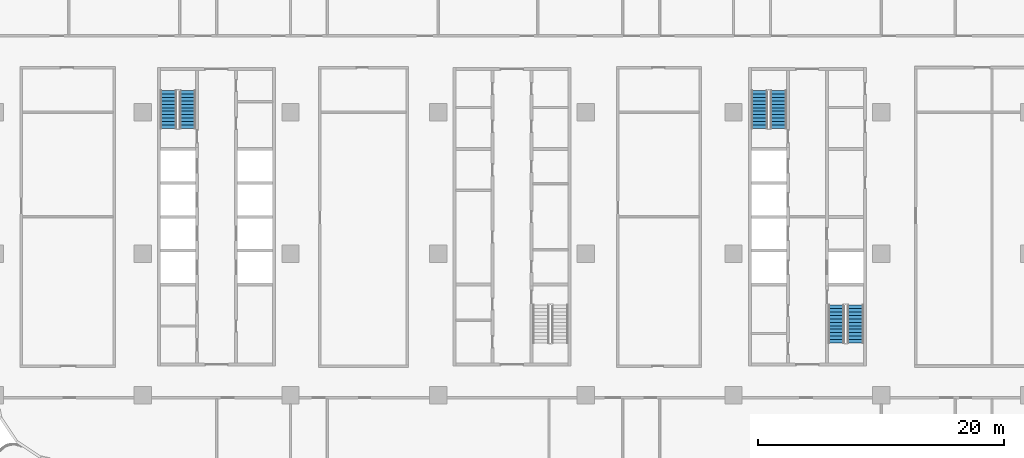
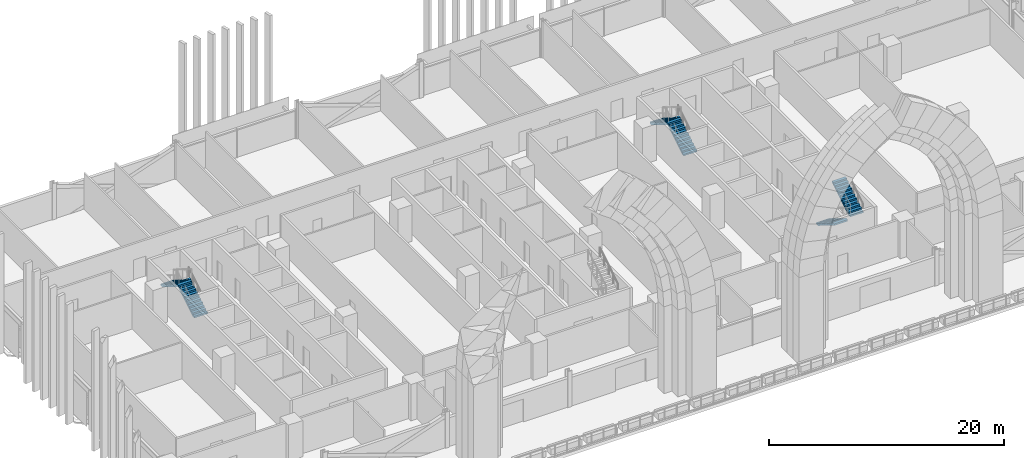
# One storey, part 16 of 31: 6 stair flights, 3 elements without a shape of their own.
"""IFC4 building model written with IfcOpenShell, lengths in metres."""

from ifc_helpers import new_model, si_unit, direction, frame, origin, place, context, subcontext, project, spatial, polyline, outline, extrude, material, type_object, element, aggregate, save


model = new_model("IFC4")

# Units and contexts
model_context = context("Model", 3, precision=1e-05, world=origin(), true_north=direction((0.0, 1.0)))
body_context = subcontext(model_context, "Body", "Model", "MODEL_VIEW")
ifc_project = project(units=[si_unit("LENGTHUNIT", "METRE"), si_unit("AREAUNIT", "SQUARE_METRE"), si_unit("VOLUMEUNIT", "CUBIC_METRE"), si_unit("PLANEANGLEUNIT", "RADIAN"), si_unit("MASSUNIT", "GRAM", prefix="KILO")], contexts=[model_context])

# Site, building, storey
site_placement = place(None, origin())
site = spatial("IfcSite", under=ifc_project, at=site_placement, CompositionType="ELEMENT")
building_placement = place(site_placement, origin())
building = spatial("IfcBuilding", under=site, at=building_placement, Name="Mahtab Terrace Research Tower", CompositionType="ELEMENT")
storey_placement = place(building_placement, frame((0.0, 0.0, 84.800048828125)))
storey = spatial("IfcBuildingStorey", under=building, at=storey_placement, Name="L19", CompositionType="ELEMENT", Elevation=84.800048828125)

# Stair, stair flights
ifc_material_1 = material(Name="Exit stair half-turn")
stair_type = type_object("IfcStairType", Name="Exit stair half-turn", PredefinedType="HALF_TURN_STAIR", material=ifc_material_1)
stair_1_placement = place(storey_placement, origin())
stair_1 = element("IfcStair", 1, at=stair_1_placement, inside=storey, type_object=stair_type, Name="L19 Protected exit stair ST1", PredefinedType="HALF_TURN_STAIR")
ifc_material_2 = material(Name="Concrete C40/50", Category="concrete")
stair_flight_type = type_object("IfcStairFlightType", Name="Exit stair flight 1300", PredefinedType="STRAIGHT", material=ifc_material_2)
stair_flight_1_placement = place(storey_placement, frame((-26.35009765625, 10.175048828125, 0.0), z_axis=(0.0, 0.0, 1.0), x_axis=(0.0, 1.0, 0.0)))
stair_flight_1 = element("IfcStairFlight", 2, at=stair_flight_1_placement, type_object=stair_flight_type, Name="ST1 flight 1", NumberOfRisers=12, NumberOfTreads=11, PredefinedType="STRAIGHT", RiserHeight=0.170833333, TreadLength=0.28, context=body_context, shape_type="SweptSolid", body=[
    extrude(outline(polyline([(0.0, 0.0), (0.0, 0.1708984375), (0.280029296875, 0.1708984375), (0.280029296875, 0.341552734375), (0.56005859375, 0.341552734375), (0.56005859375, 0.512451171875), (0.840087890625, 0.512451171875), (0.840087890625, 0.683349609375), (1.1201171875, 0.683349609375), (1.1201171875, 0.854248046875), (1.39990234375, 0.854248046875), (1.39990234375, 1.02490234375), (1.679931640625, 1.02490234375), (1.679931640625, 1.19580078125), (1.9599609375, 1.19580078125), (1.9599609375, 1.36669921875), (2.239990234375, 1.36669921875), (2.239990234375, 1.53759765625), (2.52001953125, 1.53759765625), (2.52001953125, 1.708251953125), (2.800048828125, 1.708251953125), (2.800048828125, 1.879150390625), (3.080078125, 1.879150390625), (3.080078125, 2.050048828125), (3.080078125, 1.70361328125), (0.287841796875, 0.0), (0.0, 0.0)])), frame((0.0, 0.64990234375, 0.0), z_axis=(0.0, -1.0, 0.0), x_axis=(1.0, 0.0, 0.0)), (0.0, 0.0, 1.0), 1.300048828125),
])
stair_flight_2_placement = place(storey_placement, frame((-27.89990234375, 13.2548828125, 2.050048828125), z_axis=(0.0, 0.0, 1.0), x_axis=(0.0, -1.0, 0.0)))
stair_flight_2 = element("IfcStairFlight", 3, at=stair_flight_2_placement, type_object=stair_flight_type, Name="ST1 flight 2", NumberOfRisers=12, NumberOfTreads=11, PredefinedType="STRAIGHT", RiserHeight=0.170833333, TreadLength=0.28, context=body_context, shape_type="SweptSolid", body=[
    extrude(outline(polyline([(0.0, 0.0), (0.0, 0.1708984375), (0.280029296875, 0.1708984375), (0.280029296875, 0.341552734375), (0.56005859375, 0.341552734375), (0.56005859375, 0.512451171875), (0.840087890625, 0.512451171875), (0.840087890625, 0.683349609375), (1.1201171875, 0.683349609375), (1.1201171875, 0.854248046875), (1.39990234375, 0.854248046875), (1.39990234375, 1.02490234375), (1.679931640625, 1.02490234375), (1.679931640625, 1.19580078125), (1.9599609375, 1.19580078125), (1.9599609375, 1.36669921875), (2.239990234375, 1.36669921875), (2.239990234375, 1.53759765625), (2.52001953125, 1.53759765625), (2.52001953125, 1.708251953125), (2.800048828125, 1.708251953125), (2.800048828125, 1.879150390625), (3.080078125, 1.879150390625), (3.080078125, 2.050048828125), (3.080078125, 1.70361328125), (0.287841796875, 0.0), (0.0, 0.0)])), frame((0.0, 0.64990234375, 0.0), z_axis=(0.0, -1.0, 0.0), x_axis=(1.0, 0.0, 0.0)), (0.0, 0.0, 1.0), 1.300048828125),
])
aggregate(stair_1, [stair_flight_1, stair_flight_2])

stair_2_placement = place(storey_placement, origin())
stair_2 = element("IfcStair", 4, at=stair_2_placement, inside=storey, type_object=stair_type, Name="L19 Protected exit stair ST3", PredefinedType="HALF_TURN_STAIR")
stair_flight_3_placement = place(storey_placement, frame((21.64990234375, 10.175048828125, 0.0), z_axis=(0.0, 0.0, 1.0), x_axis=(0.0, 1.0, 0.0)))
stair_flight_3 = element("IfcStairFlight", 5, at=stair_flight_3_placement, type_object=stair_flight_type, Name="ST3 flight 1", NumberOfRisers=12, NumberOfTreads=11, PredefinedType="STRAIGHT", RiserHeight=0.170833333, TreadLength=0.28, context=body_context, shape_type="SweptSolid", body=[
    extrude(outline(polyline([(0.0, 0.0), (0.0, 0.1708984375), (0.280029296875, 0.1708984375), (0.280029296875, 0.341552734375), (0.56005859375, 0.341552734375), (0.56005859375, 0.512451171875), (0.840087890625, 0.512451171875), (0.840087890625, 0.683349609375), (1.1201171875, 0.683349609375), (1.1201171875, 0.854248046875), (1.39990234375, 0.854248046875), (1.39990234375, 1.02490234375), (1.679931640625, 1.02490234375), (1.679931640625, 1.19580078125), (1.9599609375, 1.19580078125), (1.9599609375, 1.36669921875), (2.239990234375, 1.36669921875), (2.239990234375, 1.53759765625), (2.52001953125, 1.53759765625), (2.52001953125, 1.708251953125), (2.800048828125, 1.708251953125), (2.800048828125, 1.879150390625), (3.080078125, 1.879150390625), (3.080078125, 2.050048828125), (3.080078125, 1.70361328125), (0.287841796875, 0.0), (0.0, 0.0)])), frame((0.0, 0.64990234375, 0.0), z_axis=(0.0, -1.0, 0.0), x_axis=(1.0, 0.0, 0.0)), (0.0, 0.0, 1.0), 1.300048828125),
])
stair_flight_4_placement = place(storey_placement, frame((20.10009765625, 13.2548828125, 2.050048828125), z_axis=(0.0, 0.0, 1.0), x_axis=(0.0, -1.0, 0.0)))
stair_flight_4 = element("IfcStairFlight", 6, at=stair_flight_4_placement, type_object=stair_flight_type, Name="ST3 flight 2", NumberOfRisers=12, NumberOfTreads=11, PredefinedType="STRAIGHT", RiserHeight=0.170833333, TreadLength=0.28, context=body_context, shape_type="SweptSolid", body=[
    extrude(outline(polyline([(0.0, 0.0), (0.0, 0.1708984375), (0.280029296875, 0.1708984375), (0.280029296875, 0.341552734375), (0.56005859375, 0.341552734375), (0.56005859375, 0.512451171875), (0.840087890625, 0.512451171875), (0.840087890625, 0.683349609375), (1.1201171875, 0.683349609375), (1.1201171875, 0.854248046875), (1.39990234375, 0.854248046875), (1.39990234375, 1.02490234375), (1.679931640625, 1.02490234375), (1.679931640625, 1.19580078125), (1.9599609375, 1.19580078125), (1.9599609375, 1.36669921875), (2.239990234375, 1.36669921875), (2.239990234375, 1.53759765625), (2.52001953125, 1.53759765625), (2.52001953125, 1.708251953125), (2.800048828125, 1.708251953125), (2.800048828125, 1.879150390625), (3.080078125, 1.879150390625), (3.080078125, 2.050048828125), (3.080078125, 1.70361328125), (0.287841796875, 0.0), (0.0, 0.0)])), frame((0.0, 0.64990234375, 0.0), z_axis=(0.0, -1.0, 0.0), x_axis=(1.0, 0.0, 0.0)), (0.0, 0.0, 1.0), 1.300048828125),
])
aggregate(stair_2, [stair_flight_3, stair_flight_4])

stair_3_placement = place(storey_placement, origin())
stair_3 = element("IfcStair", 7, at=stair_3_placement, inside=storey, type_object=stair_type, Name="L19 Protected exit stair ST4", PredefinedType="HALF_TURN_STAIR")
stair_flight_5_placement = place(storey_placement, frame((26.35009765625, -4.175048828125, 0.0), z_axis=(0.0, 0.0, 1.0), x_axis=(0.0, -1.0, 0.0)))
stair_flight_5 = element("IfcStairFlight", 8, at=stair_flight_5_placement, type_object=stair_flight_type, Name="ST4 flight 1", NumberOfRisers=12, NumberOfTreads=11, PredefinedType="STRAIGHT", RiserHeight=0.170833333, TreadLength=0.28, context=body_context, shape_type="SweptSolid", body=[
    extrude(outline(polyline([(0.0, 0.0), (0.0, 0.1708984375), (0.280029296875, 0.1708984375), (0.280029296875, 0.341552734375), (0.56005859375, 0.341552734375), (0.56005859375, 0.512451171875), (0.840087890625, 0.512451171875), (0.840087890625, 0.683349609375), (1.1201171875, 0.683349609375), (1.1201171875, 0.854248046875), (1.39990234375, 0.854248046875), (1.39990234375, 1.02490234375), (1.679931640625, 1.02490234375), (1.679931640625, 1.19580078125), (1.9599609375, 1.19580078125), (1.9599609375, 1.36669921875), (2.239990234375, 1.36669921875), (2.239990234375, 1.53759765625), (2.52001953125, 1.53759765625), (2.52001953125, 1.708251953125), (2.800048828125, 1.708251953125), (2.800048828125, 1.879150390625), (3.080078125, 1.879150390625), (3.080078125, 2.050048828125), (3.080078125, 1.70361328125), (0.287841796875, 0.0), (0.0, 0.0)])), frame((0.0, 0.64990234375, 0.0), z_axis=(0.0, -1.0, 0.0), x_axis=(1.0, 0.0, 0.0)), (0.0, 0.0, 1.0), 1.300048828125),
])
stair_flight_6_placement = place(storey_placement, frame((27.89990234375, -7.2548828125, 2.050048828125), z_axis=(0.0, 0.0, 1.0), x_axis=(0.0, 1.0, 0.0)))
stair_flight_6 = element("IfcStairFlight", 9, at=stair_flight_6_placement, type_object=stair_flight_type, Name="ST4 flight 2", NumberOfRisers=12, NumberOfTreads=11, PredefinedType="STRAIGHT", RiserHeight=0.170833333, TreadLength=0.28, context=body_context, shape_type="SweptSolid", body=[
    extrude(outline(polyline([(0.0, 0.0), (0.0, 0.1708984375), (0.280029296875, 0.1708984375), (0.280029296875, 0.341552734375), (0.56005859375, 0.341552734375), (0.56005859375, 0.512451171875), (0.840087890625, 0.512451171875), (0.840087890625, 0.683349609375), (1.1201171875, 0.683349609375), (1.1201171875, 0.854248046875), (1.39990234375, 0.854248046875), (1.39990234375, 1.02490234375), (1.679931640625, 1.02490234375), (1.679931640625, 1.19580078125), (1.9599609375, 1.19580078125), (1.9599609375, 1.36669921875), (2.239990234375, 1.36669921875), (2.239990234375, 1.53759765625), (2.52001953125, 1.53759765625), (2.52001953125, 1.708251953125), (2.800048828125, 1.708251953125), (2.800048828125, 1.879150390625), (3.080078125, 1.879150390625), (3.080078125, 2.050048828125), (3.080078125, 1.70361328125), (0.287841796875, 0.0), (0.0, 0.0)])), frame((0.0, 0.64990234375, 0.0), z_axis=(0.0, -1.0, 0.0), x_axis=(1.0, 0.0, 0.0)), (0.0, 0.0, 1.0), 1.300048828125),
])
aggregate(stair_3, [stair_flight_5, stair_flight_6])

save(model, "model.ifc")
